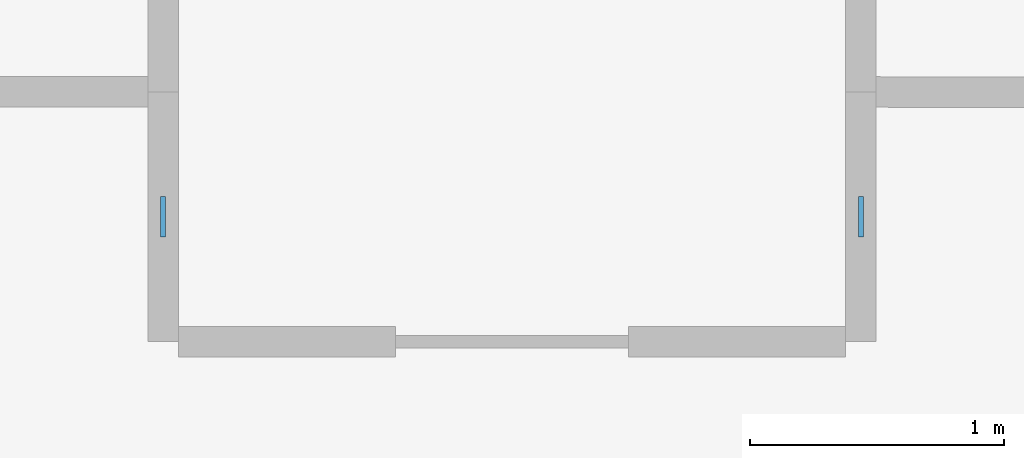
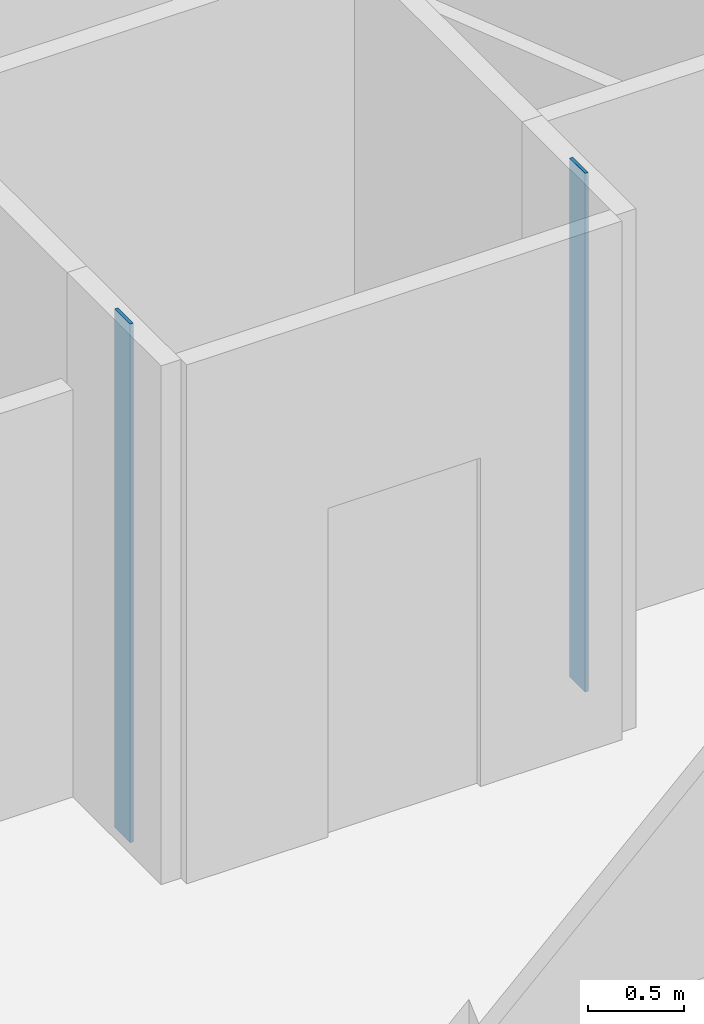
# One storey, part 5 of 12: 2 plates.
"""IFC4 building model written with IfcOpenShell, lengths in metres."""

from ifc_helpers import new_model, si_unit, direction, frame, origin, origin_2d, place, context, subcontext, project, spatial, rectangle, extrude, material, layer, layer_set, type_object, element, save


model = new_model("IFC4")

# Units and contexts
model_context = context("Model", 3, precision=1e-05, world=origin(), true_north=direction((0.0, 1.0)))
body_context = subcontext(model_context, "Body", "Model", "MODEL_VIEW")
ifc_project = project(units=[si_unit("LENGTHUNIT", "METRE"), si_unit("AREAUNIT", "SQUARE_METRE"), si_unit("VOLUMEUNIT", "CUBIC_METRE"), si_unit("PLANEANGLEUNIT", "RADIAN"), si_unit("MASSUNIT", "GRAM", prefix="KILO")], contexts=[model_context])

# Site, building, storey
site_placement = place(None, origin())
site = spatial("IfcSite", under=ifc_project, at=site_placement, CompositionType="ELEMENT")
building_placement = place(site_placement, origin())
building = spatial("IfcBuilding", under=site, at=building_placement, Name="Miruveldt Soraemaru", CompositionType="ELEMENT")
storey_placement = place(building_placement, frame((0.0, 0.0, 248.39990234375)))
storey = spatial("IfcBuildingStorey", under=building, at=storey_placement, Name="L68", CompositionType="ELEMENT", Elevation=248.39990234375)

# Plates
ifc_material = material(Name="Anodised aluminium EN AW-6063 T6", Category="aluminium")
ifc_layer = layer(ifc_material, 0.02001953125, Name="Anodised aluminium EN AW-6063 T6", Category="aluminium")
ifc_layer_set = layer_set([ifc_layer], Name="Anodised aluminium EN AW-6063 T6")
plate_type = type_object("IfcPlateType", Name="PLT-PART-TRIM", PredefinedType="SHEET", material=ifc_layer_set)
for number, where, z_axis, x_axis, name in (
    (1, (60.6298828125, 32.070068359375, 0.000244140625), (0.0, 0.0, 1.0), (0.0, 1.0, 0.0), "L68 Partition Step Corner Trim Plate 044"),
    (2, (57.8798828125, 32.070068359375, 0.000244140625), (0.0, 0.0, 1.0), (0.0, -1.0, 0.0), "L68 Partition Step Corner Trim Plate 045"),
):
    element("IfcPlate", number, at=place(storey_placement, frame(where, z_axis=z_axis, x_axis=x_axis)), inside=storey, type_object=plate_type, Name=name, PredefinedType="SHEET", context=body_context, shape_type="SweptSolid", body=[
        extrude(rectangle(XDim=0.159912109375, YDim=0.02001953125, at=origin_2d()), origin(), (0.0, 0.0, 1.0), 3.31494140625),
    ])

save(model, "model.ifc")
